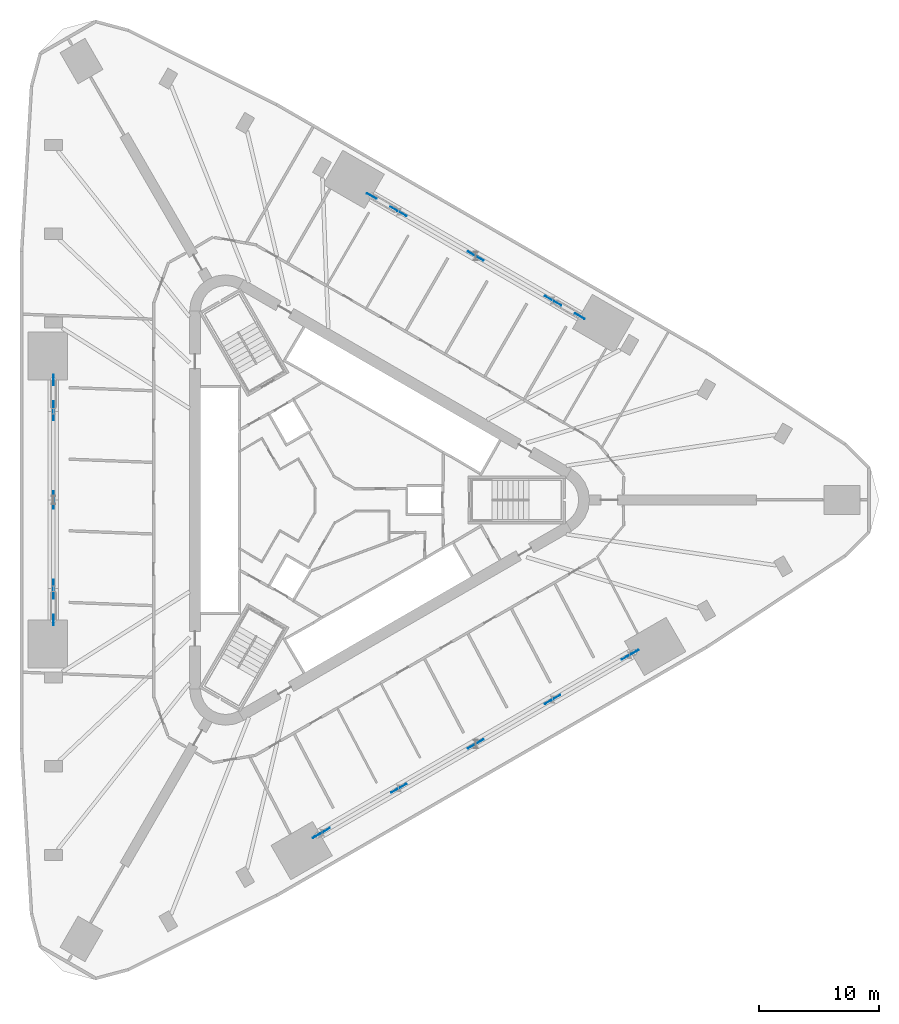
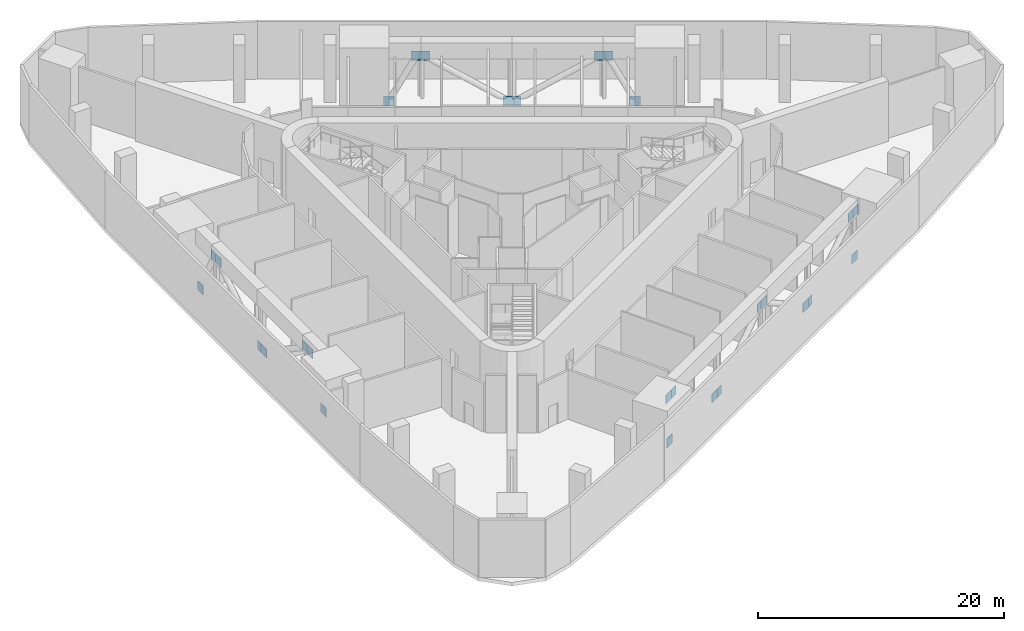
# One storey, part 12 of 14: 28 discrete accessories.
"""IFC4 building model written with IfcOpenShell, lengths in metres."""

from ifc_helpers import new_model, si_unit, direction, frame, origin, origin_2d, place, context, subcontext, project, spatial, rectangle, extrude, material, layer, layer_set, type_object, element, save


model = new_model("IFC4")

# Units and contexts
model_context = context("Model", 3, precision=1e-05, world=origin(), true_north=direction((0.0, 1.0)))
body_context = subcontext(model_context, "Body", "Model", "MODEL_VIEW")
ifc_project = project(units=[si_unit("LENGTHUNIT", "METRE"), si_unit("AREAUNIT", "SQUARE_METRE"), si_unit("VOLUMEUNIT", "CUBIC_METRE"), si_unit("PLANEANGLEUNIT", "RADIAN"), si_unit("MASSUNIT", "GRAM", prefix="KILO")], contexts=[model_context])

# Site, building, storey
site_placement = place(None, origin())
site = spatial("IfcSite", under=ifc_project, at=site_placement, CompositionType="ELEMENT")
building_placement = place(site_placement, origin())
building = spatial("IfcBuilding", under=site, at=building_placement, Name="Tanit Gate Tower", CompositionType="ELEMENT")
storey_placement = place(building_placement, frame((0.0, 0.0, 39.5)))
storey = spatial("IfcBuildingStorey", under=building, at=storey_placement, Name="L06", CompositionType="ELEMENT", Elevation=39.5)

# Discrete accessories
ifc_material = material(Name="Steel S460", Category="steel")
ifc_layer = layer(ifc_material, 0.0400390625)
ifc_layer_set = layer_set([ifc_layer], Name="GUSSET PLATE 900x900x40 S460")
discrete_accessory_type = type_object("IfcDiscreteAccessoryType", Name="GUSSET PLATE 900x900x40 S460", PredefinedType="BRACKET", material=ifc_layer_set)
for number, where, z_axis, x_axis, name in (
    (1, (-23.453369140625, -10.0, -0.800048828125), (0.0, 0.0, 1.0), (0.0, 1.0, 0.0), "GUSSET PLATE NODE L06-001"),
    (2, (-23.453369140625, -7.7705078125, 3.650146484375), (0.0, 0.0, 1.0), (0.0, -1.0, 0.0), "GUSSET PLATE NODE L06-002"),
    (3, (-23.453369140625, -7.100341796875, 3.650146484375), (0.0, 0.0, 1.0), (0.0, 1.0, 0.0), "GUSSET PLATE NODE L06-003"),
    (4, (-23.453369140625, -0.291015625, -0.800048828125), (0.0, 0.0, 1.0), (0.0, -1.0, 0.0), "GUSSET PLATE NODE L06-004"),
    (5, (-23.453369140625, 0.291015625, -0.800048828125), (0.0, 0.0, 1.0), (0.0, 1.0, 0.0), "GUSSET PLATE NODE L06-005"),
    (6, (-23.453369140625, 7.100341796875, 3.650146484375), (0.0, 0.0, 1.0), (0.0, -1.0, 0.0), "GUSSET PLATE NODE L06-006"),
    (7, (-23.453369140625, 7.7705078125, 3.650146484375), (0.0, 0.0, 1.0), (0.0, 1.0, 0.0), "GUSSET PLATE NODE L06-007"),
    (8, (-23.453369140625, 10.0, -0.800048828125), (0.0, 0.0, 1.0), (0.0, -1.0, 0.0), "GUSSET PLATE NODE L06-008"),
    (9, (-1.43408203125, -27.90966796875, 3.650146484375), (0.0, 0.0, 1.0), (0.866025403784, 0.5, 0.0), "GUSSET PLATE NODE L06-009"),
    (10, (-1.263671875, -27.811279296875, -0.800048828125), (0.0, 0.0, 1.0), (-0.866025403784, -0.5, 0.0), "GUSSET PLATE NODE L06-010"),
    (11, (-0.82373046875, -27.55712890625, 3.650146484375), (0.0, 0.0, 1.0), (0.866025403784, 0.5, 0.0), "GUSSET PLATE NODE L06-011"),
    (12, (3.06640625, 25.311279296875, -0.800048828125), (0.0, 0.0, 1.0), (0.866025403784, -0.5, 0.0), "GUSSET PLATE NODE L06-012"),
    (13, (4.997314453125, 24.196533203125, 3.650146484375), (0.0, 0.0, 1.0), (-0.866025403784, 0.5, 0.0), "GUSSET PLATE NODE L06-013"),
    (14, (5.073486328125, -24.152587890625, -0.800048828125), (0.0, 0.0, 1.0), (-0.866025403784, -0.5, 0.0), "GUSSET PLATE NODE L06-014"),
    (15, (5.577392578125, -23.861572265625, -0.800048828125), (0.0, 0.0, 1.0), (0.866025403784, 0.5, 0.0), "GUSSET PLATE NODE L06-015"),
    (16, (5.577392578125, 23.861572265625, 3.650146484375), (0.0, 0.0, 1.0), (0.866025403784, -0.5, 0.0), "GUSSET PLATE NODE L06-016"),
    (17, (11.474609375, -20.456787109375, 3.650146484375), (0.0, 0.0, 1.0), (-0.866025403784, -0.5, 0.0), "GUSSET PLATE NODE L06-017"),
    (18, (11.474609375, 20.456787109375, -0.800048828125), (0.0, 0.0, 1.0), (-0.866025403784, 0.5, 0.0), "GUSSET PLATE NODE L06-018"),
    (19, (11.978759765625, -20.165771484375, 3.650146484375), (0.0, 0.0, 1.0), (0.866025403784, 0.5, 0.0), "GUSSET PLATE NODE L06-019"),
    (20, (11.978759765625, 20.165771484375, -0.800048828125), (0.0, 0.0, 1.0), (0.866025403784, -0.5, 0.0), "GUSSET PLATE NODE L06-020"),
    (21, (17.8759765625, -16.760986328125, -0.800048828125), (0.0, 0.0, 1.0), (-0.866025403784, -0.5, 0.0), "GUSSET PLATE NODE L06-021"),
    (22, (17.8759765625, 16.760986328125, 3.650146484375), (0.0, 0.0, 1.0), (-0.866025403784, 0.5, 0.0), "GUSSET PLATE NODE L06-022"),
    (23, (18.3798828125, -16.469970703125, -0.800048828125), (0.0, 0.0, 1.0), (0.866025403784, 0.5, 0.0), "GUSSET PLATE NODE L06-023"),
    (24, (18.456298828125, 16.426025390625, 3.650146484375), (0.0, 0.0, 1.0), (0.866025403784, -0.5, 0.0), "GUSSET PLATE NODE L06-024"),
    (25, (20.386962890625, 15.311279296875, -0.800048828125), (0.0, 0.0, 1.0), (-0.866025403784, 0.5, 0.0), "GUSSET PLATE NODE L06-025"),
    (26, (24.277099609375, -13.065185546875, 3.650146484375), (0.0, 0.0, 1.0), (-0.866025403784, -0.5, 0.0), "GUSSET PLATE NODE L06-026"),
    (27, (24.717041015625, -12.811279296875, -0.800048828125), (0.0, 0.0, 1.0), (0.866025403784, 0.5, 0.0), "GUSSET PLATE NODE L06-027"),
    (28, (24.887451171875, -12.712890625, 3.650146484375), (0.0, 0.0, 1.0), (-0.866025403784, -0.5, 0.0), "GUSSET PLATE NODE L06-028"),
):
    element("IfcDiscreteAccessory", number, at=place(storey_placement, frame(where, z_axis=z_axis, x_axis=x_axis)), inside=storey, type_object=discrete_accessory_type, Name=name, PredefinedType="BRACKET", context=body_context, shape_type="SweptSolid", body=[
        extrude(rectangle(XDim=0.89990234375, YDim=0.0400390625, at=origin_2d()), origin(), (0.0, 0.0, 1.0), 0.89990234375),
    ])

save(model, "model.ifc")
